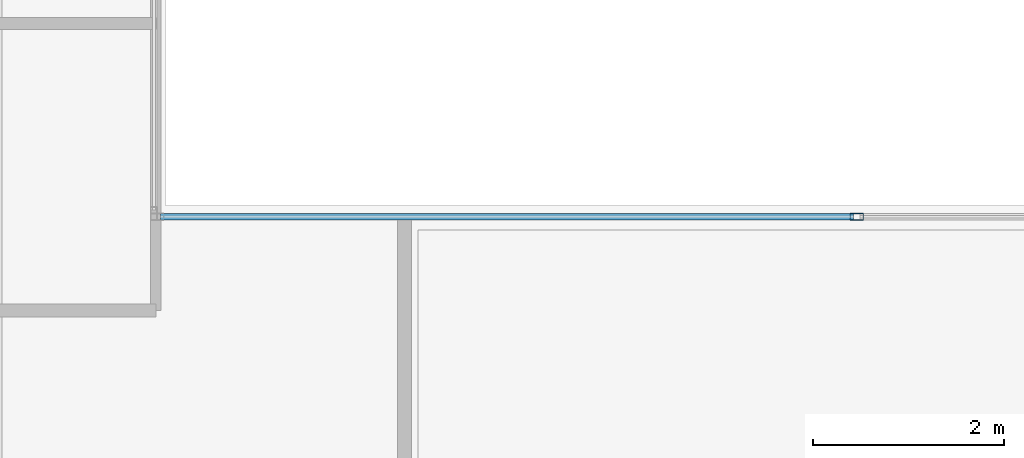
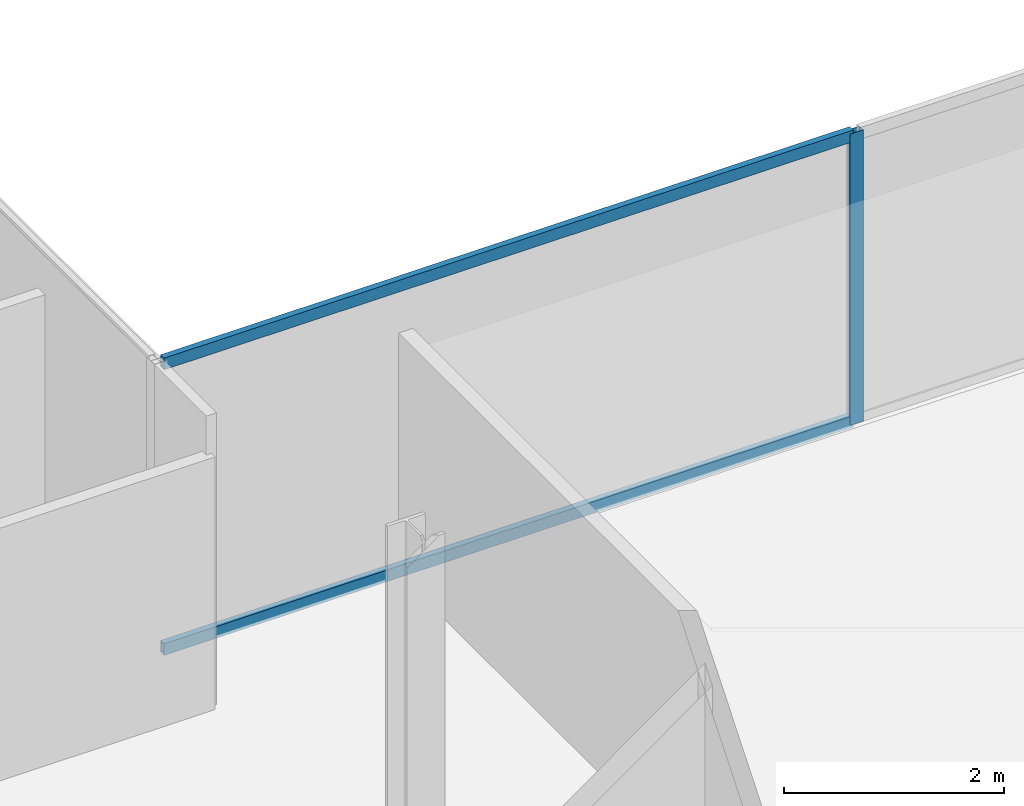
# One storey, part 9 of 23: 3 members, 1 element without a shape of its own.
"""IFC4 building model written with IfcOpenShell, lengths in metres."""

import ifcopenshell
import ifcopenshell.guid

model = None  # the IFC model being written
_history = None  # IfcOwnerHistory: only IFC2X3 demands one
_inside = {}  # id of a spatial element -> (the spatial element, [elements in it])
_under = {}  # id of a project, library or spatial element -> (it, [spatial elements below it])
_declared = {}  # id of a project -> (the project, [libraries it declares])
_typed = {}  # id of a type object -> (the type object, [elements of that type])
_made_of = {}  # id of a material, layer set ... -> (it, [elements and type objects made of it])


def new_model(schema):
    """Start an empty IFC model of exactly this schema.

    Asked for "IFC4X3", IfcOpenShell would pick the latest addendum, in which some entities
    have other attributes; the version numbers below select the first issue.
    IFC2X3 requires an IfcOwnerHistory on every rooted entity: one is made here for all.
    """
    global model, _history
    if schema == "IFC4X3":
        model = ifcopenshell.file(schema_version=(4, 3, 0, 0))
    else:
        model = ifcopenshell.file(schema=schema)
    _inside.clear()
    _under.clear()
    _declared.clear()
    _typed.clear()
    _made_of.clear()
    _history = None
    if model.schema == "IFC2X3":
        org = make("IfcOrganization", Name="unknown")
        user = make(
            "IfcPersonAndOrganization",
            ThePerson=make("IfcPerson", FamilyName="unknown"),
            TheOrganization=org,
        )
        app = make(
            "IfcApplication",
            ApplicationDeveloper=org,
            Version="unknown",
            ApplicationFullName="unknown",
            ApplicationIdentifier="unknown",
        )
        _history = make(
            "IfcOwnerHistory",
            OwningUser=user,
            OwningApplication=app,
            ChangeAction="ADDED",
            CreationDate=0,
        )
    return model


def make(cls, **values):
    """One entity of the class cls with the attributes given. An attribute that is None is left unset."""
    return model.create_entity(
        cls, **{name: value for name, value in values.items() if value is not None}
    )


def rooted(cls, **values):
    """An entity with a GlobalId (a new one), such as an element, a storey or a relation."""
    return make(cls, GlobalId=ifcopenshell.guid.new(), OwnerHistory=_history, **values)


def si_unit(unit_type, name, prefix=None):
    """IfcSIUnit, for example si_unit("LENGTHUNIT", "METRE", prefix="MILLI")."""
    return make("IfcSIUnit", UnitType=unit_type, Prefix=prefix, Name=name)


def assignment(units):
    """IfcUnitAssignment: the units of a project."""
    return None if units is None else make("IfcUnitAssignment", Units=units)


def point(xyz):
    """IfcCartesianPoint."""
    return None if xyz is None else make("IfcCartesianPoint", Coordinates=xyz)


def direction(xyz):
    """IfcDirection."""
    return None if xyz is None else make("IfcDirection", DirectionRatios=xyz)


def frame(location, z_axis=None, x_axis=None):
    """IfcAxis2Placement3D, a coordinate frame: its origin and axes. An axis left out is left unset."""
    return make(
        "IfcAxis2Placement3D",
        Location=point(location),
        Axis=direction(z_axis),
        RefDirection=direction(x_axis),
    )


def frame_2d(location, x_axis=None):
    """IfcAxis2Placement2D, a coordinate frame in the plane: its origin and x axis."""
    return make(
        "IfcAxis2Placement2D", Location=point(location), RefDirection=direction(x_axis)
    )


def origin():
    """The frame at (0, 0, 0) with its axes left unset."""
    return frame((0.0, 0.0, 0.0))


def origin_2d():
    """The frame at (0, 0) in the plane with its x axis left unset."""
    return frame_2d((0.0, 0.0))


def place(relative_to, where):
    """IfcLocalPlacement: puts the frame where relative to a parent placement (None: the world)."""
    return make(
        "IfcLocalPlacement", PlacementRelTo=relative_to, RelativePlacement=where
    )


def context(
    kind, dimensions, precision=None, world=None, true_north=None, identifier=None
):
    """IfcGeometricRepresentationContext, for example the 3D "Model" context."""
    return make(
        "IfcGeometricRepresentationContext",
        ContextIdentifier=identifier,
        ContextType=kind,
        CoordinateSpaceDimension=dimensions,
        Precision=precision,
        WorldCoordinateSystem=world,
        TrueNorth=true_north,
    )


def subcontext(parent, identifier, kind, view, scale=None):
    """IfcGeometricRepresentationSubContext, for example "Body" below "Model"."""
    return make(
        "IfcGeometricRepresentationSubContext",
        ContextIdentifier=identifier,
        ContextType=kind,
        ParentContext=parent,
        TargetScale=scale,
        TargetView=view,
    )


def project(units=None, contexts=None):
    """IfcProject with its units and contexts."""
    return rooted(
        "IfcProject",
        Name="project",
        RepresentationContexts=contexts,
        UnitsInContext=assignment(units),
    )


def spatial(cls, under=None, at=None, **own):
    """A site, building, storey or space (cls), placed at a placement, below another one or the project."""
    s = rooted(cls, ObjectPlacement=at, **own)
    if under is not None:
        _under.setdefault(under.id(), (under, []))[1].append(s)
    return s


def profile(cls, at=None, kind="AREA", **sizes):
    """A parametric profile (cls). Its sizes go by their IFC names, for example OverallWidth=200.0."""
    return make(cls, ProfileType=kind, Position=at, **sizes)


def hollow_rectangle(**sizes):
    """IfcRectangleHollowProfileDef."""
    return profile("IfcRectangleHollowProfileDef", **sizes)


def extrude(swept, where, along, depth):
    """IfcExtrudedAreaSolid: the profile swept, set in the frame where, extruded along a direction by depth."""
    return make(
        "IfcExtrudedAreaSolid",
        SweptArea=swept,
        Position=where,
        ExtrudedDirection=direction(along),
        Depth=depth,
    )


def shape(context_of_items, identifier, shape_type, items):
    """IfcShapeRepresentation: the items that make up one representation, for example the "Body"."""
    return make(
        "IfcShapeRepresentation",
        ContextOfItems=context_of_items,
        RepresentationIdentifier=identifier,
        RepresentationType=shape_type,
        Items=items,
    )


def material(Name=None, Category=None):
    """IfcMaterial."""
    return make("IfcMaterial", Name=Name, Category=Category)


def material_profile(
    of_material, cross_section, Name=None, Category=None, Priority=None
):
    """IfcMaterialProfile: a cross section and its material."""
    return make(
        "IfcMaterialProfile",
        Name=Name,
        Material=of_material,
        Profile=cross_section,
        Priority=Priority,
        Category=Category,
    )


def profile_set(profiles, Name=None, composite=None):
    """IfcMaterialProfileSet."""
    return make(
        "IfcMaterialProfileSet",
        Name=Name,
        MaterialProfiles=profiles,
        CompositeProfile=composite,
    )


def made_of(thing, what):
    """Note that an element or type object is made of a material, layer set ...; save() writes the relation."""
    if what is not None:
        _made_of.setdefault(what.id(), (what, []))[1].append(thing)
    return thing


def type_object(cls, material=None, **own):
    """A type object (cls), such as IfcWallType, which elements share."""
    return made_of(rooted(cls, **own), material)


def element(
    cls,
    number,
    at=None,
    inside=None,
    cuts=None,
    type_object=None,
    material=None,
    context=None,
    identifier="Body",
    shape_type=None,
    held_by="IfcProductDefinitionShape",
    body=None,
    shapes=None,
    **own,
):
    """One element of the class cls, such as IfcWall. Its Tag is "e" and its number.

    at: its placement. inside: the storey or other place that contains it. cuts: it is an
    opening in that element (IfcRelVoidsElement). A single representation is given by context,
    identifier, shape_type and body (its items); several are given by shapes. held_by: the class
    of the entity that holds the representations. save() writes the other relations.
    """
    e = rooted(cls, Tag="e%d" % number, ObjectPlacement=at, **own)
    if body is not None:
        shapes = [shape(context, identifier, shape_type, body)]
    if shapes is not None:
        e.Representation = make(held_by, Representations=shapes)
    if inside is not None:
        _inside.setdefault(inside.id(), (inside, []))[1].append(e)
    if cuts is not None:
        rooted(
            "IfcRelVoidsElement", RelatingBuildingElement=cuts, RelatedOpeningElement=e
        )
    if type_object is not None:
        _typed.setdefault(type_object.id(), (type_object, []))[1].append(e)
    return made_of(e, material)


def aggregate(whole, parts):
    """IfcRelAggregates: a whole, such as a stair, and the parts it consists of."""
    return rooted("IfcRelAggregates", RelatingObject=whole, RelatedObjects=parts)


def save(model, path):
    """Write the relations noted so far, then the file.

    IfcRelAggregates (storeys below a building ...), IfcRelContainedInSpatialStructure (elements
    in a storey), IfcRelDefinesByType, IfcRelAssociatesMaterial and IfcRelDeclares: one each for
    every whole, place, type object, material and project.
    """
    for whole, parts in _under.values():
        aggregate(whole, parts)
    for where, things in _inside.values():
        rooted(
            "IfcRelContainedInSpatialStructure",
            RelatedElements=things,
            RelatingStructure=where,
        )
    for kind, things in _typed.values():
        rooted("IfcRelDefinesByType", RelatedObjects=things, RelatingType=kind)
    for what, things in _made_of.values():
        rooted("IfcRelAssociatesMaterial", RelatedObjects=things, RelatingMaterial=what)
    for by, libraries in _declared.values():
        rooted("IfcRelDeclares", RelatingContext=by, RelatedDefinitions=libraries)
    model.write(path)


model = new_model("IFC4")

# Units and contexts
model_context = context("Model", 3, precision=1e-05, world=origin(), true_north=direction((0.0, 1.0)))
body_context = subcontext(model_context, "Body", "Model", "MODEL_VIEW")
ifc_project = project(units=[si_unit("LENGTHUNIT", "METRE"), si_unit("AREAUNIT", "SQUARE_METRE"), si_unit("VOLUMEUNIT", "CUBIC_METRE"), si_unit("PLANEANGLEUNIT", "RADIAN"), si_unit("MASSUNIT", "GRAM", prefix="KILO")], contexts=[model_context])

# Site, building, storey
site_placement = place(None, origin())
site = spatial("IfcSite", under=ifc_project, at=site_placement, CompositionType="ELEMENT")
building_placement = place(site_placement, origin())
building = spatial("IfcBuilding", under=site, at=building_placement, Name="Cobrela Telecom Tower", CompositionType="ELEMENT")
storey_placement = place(building_placement, frame((0.0, 0.0, 251.64990234375)))
storey = spatial("IfcBuildingStorey", under=building, at=storey_placement, Name="L65", CompositionType="ELEMENT", Elevation=251.64990234375)

# Curtain wall, members
ifc_material = material(Name="Anodized Bronze Aluminium 6063-T6", Category="aluminium")
curtain_wall_type = type_object("IfcCurtainWallType", Name="CW-SYS-OFF-HI", PredefinedType="USERDEFINED", material=ifc_material)
curtain_wall_placement = place(storey_placement, origin())
curtain_wall = element("IfcCurtainWall", 1, at=curtain_wall_placement, inside=storey, type_object=curtain_wall_type, Name="L65 Unitised Bronze Curtain Wall 09", ObjectType="UNITISED CURTAIN WALL", PredefinedType="USERDEFINED")
ifc_material_profile_1 = material_profile(ifc_material, hollow_rectangle(XDim=0.070068359375, YDim=0.139892578125, WallThickness=0.00390625, at=origin_2d()), Name="ALU 70x140x4")
ifc_profile_set_1 = profile_set([ifc_material_profile_1], Name="Anodized Bronze Aluminium 6063-T6")
member_type_1 = type_object("IfcMemberType", Name="CW-SYS-OFF-HI-MUL", PredefinedType="MULLION", material=ifc_profile_set_1)
member_1_placement = place(storey_placement, frame((28.22998046875, 25.080078125, 0.0), z_axis=(0.0, 0.0, 1.0), x_axis=(0.0, 1.0, 0.0)))
member_1 = element("IfcMember", 2, at=member_1_placement, type_object=member_type_1, Name="CW-OFF-HI mullion 2", PredefinedType="MULLION", context=body_context, shape_type="SweptSolid", body=[
    extrude(hollow_rectangle(XDim=0.070068359375, YDim=0.139892578125, WallThickness=0.00390625, at=origin_2d()), origin(), (0.0, 0.0, 1.0), 3.239990234375),
])
ifc_material_profile_2 = material_profile(ifc_material, hollow_rectangle(XDim=0.06494140625, YDim=0.1298828125, WallThickness=0.00390625, at=origin_2d()), Name="ALU 65x130x4")
ifc_profile_set_2 = profile_set([ifc_material_profile_2], Name="Anodized Bronze Aluminium 6063-T6")
member_type_2 = type_object("IfcMemberType", Name="CW-SYS-OFF-HI-TRN", PredefinedType="USERDEFINED", material=ifc_profile_set_2)
member_2_placement = place(storey_placement, frame((20.949951171875, 25.080078125, 0.03271484375), z_axis=(1.0, 0.0, 0.0), x_axis=(0.0, 1.0, 0.0)))
member_2 = element("IfcMember", 3, at=member_2_placement, type_object=member_type_2, Name="CW-OFF-HI transom 1.1", ObjectType="TRANSOM", PredefinedType="USERDEFINED", context=body_context, shape_type="SweptSolid", body=[
    extrude(hollow_rectangle(XDim=0.06494140625, YDim=0.1298828125, WallThickness=0.00390625, at=origin_2d()), origin(), (0.0, 0.0, 1.0), 7.2451171875),
])
member_3_placement = place(storey_placement, frame((20.949951171875, 25.080078125, 3.20751953125), z_axis=(1.0, 0.0, 0.0), x_axis=(0.0, 1.0, 0.0)))
member_3 = element("IfcMember", 4, at=member_3_placement, type_object=member_type_2, Name="CW-OFF-HI transom 1.2", ObjectType="TRANSOM", PredefinedType="USERDEFINED", context=body_context, shape_type="SweptSolid", body=[
    extrude(hollow_rectangle(XDim=0.06494140625, YDim=0.1298828125, WallThickness=0.00390625, at=origin_2d()), origin(), (0.0, 0.0, 1.0), 7.2451171875),
])
aggregate(curtain_wall, [member_1, member_2, member_3])

save(model, "model.ifc")
